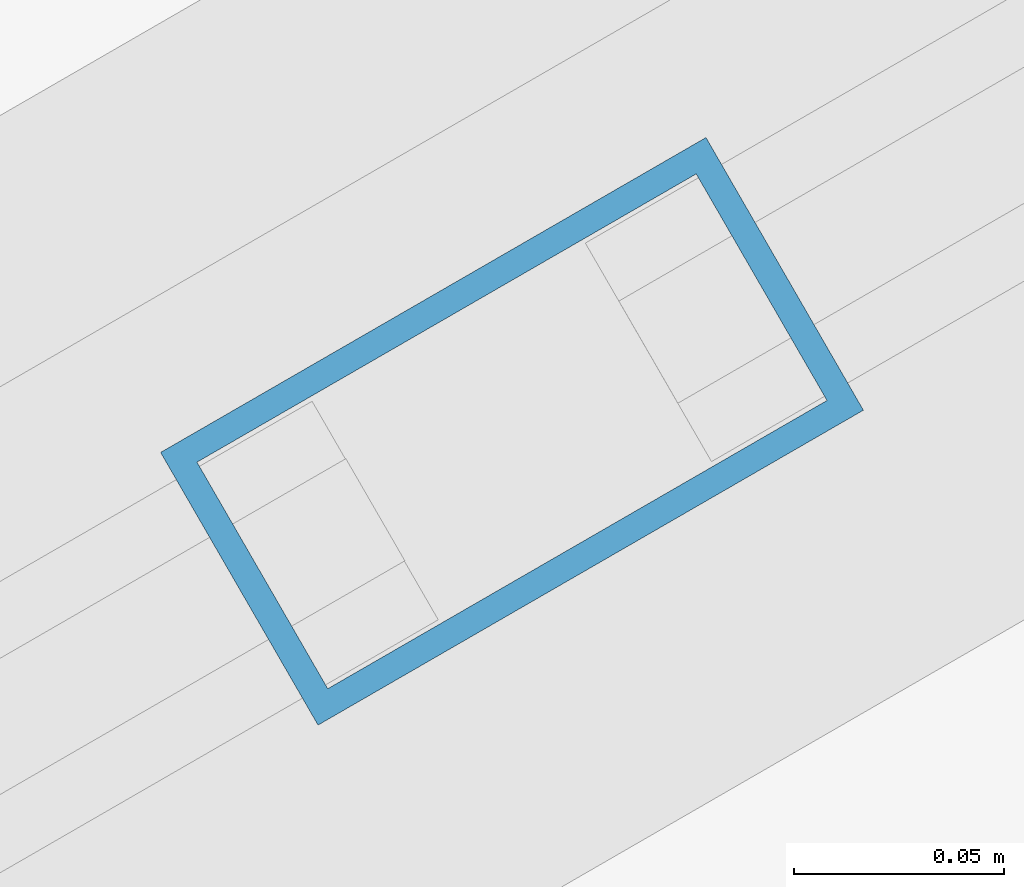
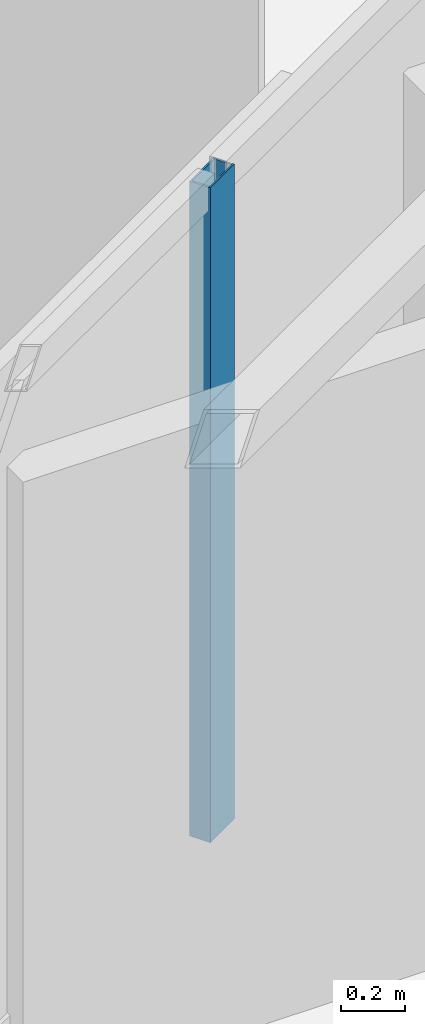
# One storey, part 8 of 21: 1 member, 1 element without a shape of its own.
"""IFC4 building model written with IfcOpenShell, lengths in metres."""

from ifc_helpers import new_model, si_unit, direction, frame, origin, origin_2d, place, context, subcontext, project, spatial, hollow_rectangle, extrude, material, layer, layer_set, material_profile, profile_set, type_object, element, aggregate, save


model = new_model("IFC4")

# Units and contexts
model_context = context("Model", 3, precision=1e-05, world=origin(), true_north=direction((0.0, 1.0)))
body_context = subcontext(model_context, "Body", "Model", "MODEL_VIEW")
ifc_project = project(units=[si_unit("LENGTHUNIT", "METRE"), si_unit("AREAUNIT", "SQUARE_METRE"), si_unit("VOLUMEUNIT", "CUBIC_METRE"), si_unit("PLANEANGLEUNIT", "RADIAN"), si_unit("MASSUNIT", "GRAM", prefix="KILO")], contexts=[model_context])

# Site, building, storey
site_placement = place(None, origin())
site = spatial("IfcSite", under=ifc_project, at=site_placement, CompositionType="ELEMENT")
building_placement = place(site_placement, origin())
building = spatial("IfcBuilding", under=site, at=building_placement, Name="Mersakhor Tower and Convention Hall", CompositionType="ELEMENT")
storey_placement = place(building_placement, frame((0.0, 0.0, 178.800048828125)))
storey = spatial("IfcBuildingStorey", under=building, at=storey_placement, Name="L49", CompositionType="ELEMENT", Elevation=178.800048828125)

# Curtain wall, member
ifc_material_1 = material(Name="Dark solar low-E aluminium curtain wall", Category="aluminium")
ifc_layer = layer(ifc_material_1, 0.169921875)
ifc_layer_set = layer_set([ifc_layer], Name="Dark solar low-E aluminium curtain wall")
curtain_wall_type = type_object("IfcCurtainWallType", Name="CW-SYS-02", PredefinedType="USERDEFINED", material=ifc_layer_set)
curtain_wall_placement = place(storey_placement, origin())
curtain_wall = element("IfcCurtainWall", 1, at=curtain_wall_placement, inside=storey, type_object=curtain_wall_type, Name="L49 Dark-Glass Curtain Wall F1-B2", ObjectType="CURTAIN WALL", PredefinedType="USERDEFINED")
ifc_material_2 = material(Name="Anodised aluminium EN AW-6063 T6", Category="aluminium")
ifc_material_profile = material_profile(ifc_material_2, hollow_rectangle(XDim=0.074951171875, YDim=0.14990234375, WallThickness=0.00634765625, at=origin_2d()), Name="RHS 150x75x6.3")
ifc_profile_set = profile_set([ifc_material_profile], Name="Anodised aluminium EN AW-6063 T6")
member_type = type_object("IfcMemberType", Name="CWM-150x75", PredefinedType="MULLION", material=ifc_profile_set)
member_placement = place(storey_placement, frame((21.906982421875, 36.035888671875, 0.199951171875), z_axis=(0.0, 0.0, 1.0), x_axis=(-0.500007824483, 0.86602088627, 0.0)))
member = element("IfcMember", 2, at=member_placement, type_object=member_type, Name="CW-02 mullion 2", PredefinedType="MULLION", context=body_context, shape_type="SweptSolid", body=[
    extrude(hollow_rectangle(XDim=0.074951171875, YDim=0.14990234375, WallThickness=0.00634765625, at=origin_2d()), origin(), (0.0, 0.0, 1.0), 2.489990234375),
])
aggregate(curtain_wall, [member])

save(model, "model.ifc")
